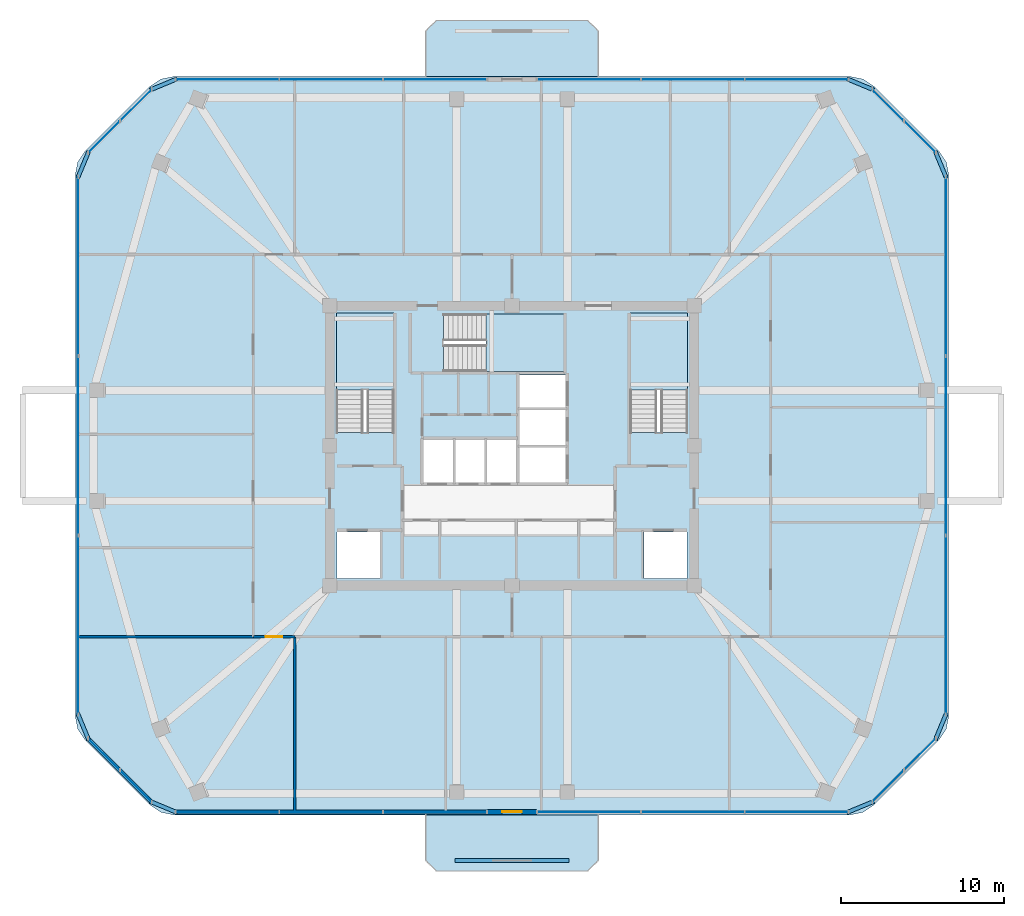
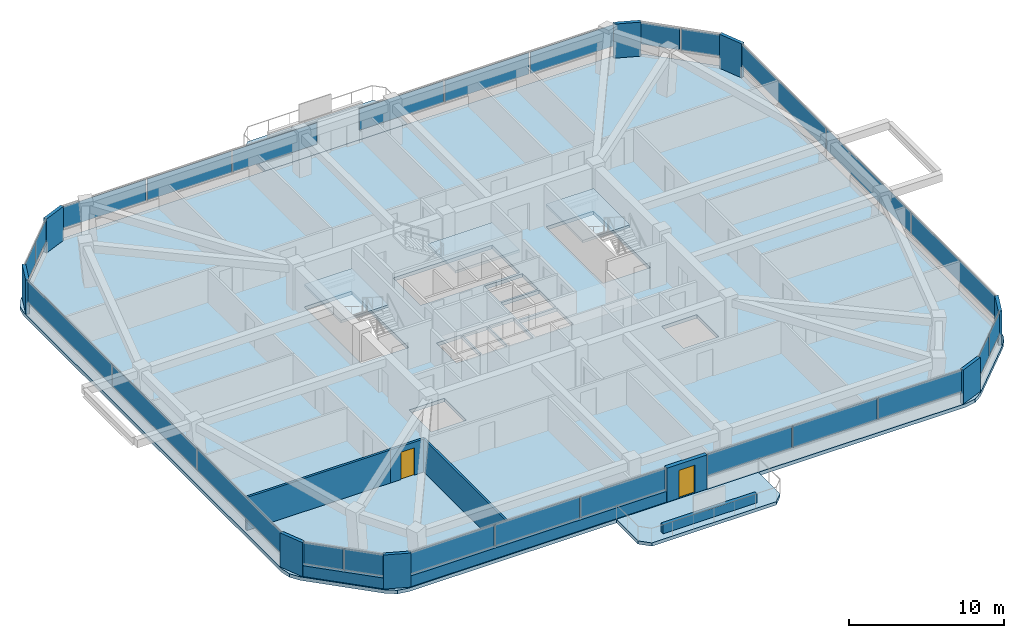
# One storey, part 7 of 13: 34 plates, 7 walls, 6 slabs, 2 doors, 2 openings, 13 elements without a shape of their own.
"""IFC4 building model written with IfcOpenShell, lengths in metres."""

from ifc_helpers import new_model, si_unit, derived_unit, direction, frame, frame_2d, origin, origin_2d, place, context, subcontext, project, spatial, polyline, rectangle, outline, extrude, material, layer, layer_set, type_object, element, fill, aggregate, save


model = new_model("IFC4")

# Units and contexts
model_context = context("Model", 3, precision=1e-05, world=origin(), true_north=direction((0.0, 1.0)))
body_context = subcontext(model_context, "Body", "Model", "MODEL_VIEW")
ifc_project = project(units=[si_unit("LENGTHUNIT", "METRE"), si_unit("AREAUNIT", "SQUARE_METRE"), si_unit("VOLUMEUNIT", "CUBIC_METRE"), si_unit("PLANEANGLEUNIT", "RADIAN"), si_unit("MASSUNIT", "GRAM", prefix="KILO"), derived_unit("THERMALTRANSMITTANCEUNIT", [(si_unit("POWERUNIT", "WATT"), 1), (si_unit("LENGTHUNIT", "METRE"), -2), (si_unit("THERMODYNAMICTEMPERATUREUNIT", "KELVIN"), -1)])], contexts=[model_context])

# Site, building, storey
site_placement = place(None, origin())
site = spatial("IfcSite", under=ifc_project, at=site_placement, CompositionType="ELEMENT")
building_placement = place(site_placement, origin())
building = spatial("IfcBuilding", under=site, at=building_placement, Name="Koralith Skygarden Medical Center", CompositionType="ELEMENT")
storey_placement = place(building_placement, frame((0.0, 0.0, 217.97998046875)))
storey = spatial("IfcBuildingStorey", under=building, at=storey_placement, Name="L56", CompositionType="ELEMENT", Elevation=217.97998046875)

# Curtain wall, plates
ifc_material_1 = material(Name="Clear Laminated Glass", Category="glass")
curtain_wall_type = type_object("IfcCurtainWallType", Name="CW-5 Zone 4 Flare Biophilic Curtain Wall", PredefinedType="NOTDEFINED", material=ifc_material_1)
curtain_wall_1_placement = place(storey_placement, origin())
curtain_wall_1 = element("IfcCurtainWall", 1, at=curtain_wall_1_placement, inside=storey, type_object=curtain_wall_type, Name="Curtain Wall CW-L56-S-L", PredefinedType="NOTDEFINED")
ifc_layer_1 = layer(ifc_material_1, 0.0380859375)
ifc_layer_set_1 = layer_set([ifc_layer_1], Name="Clear Laminated Glass")
plate_type_1 = type_object("IfcPlateType", Name="CW-5 Hurricane Laminated IGU Panel 38", PredefinedType="CURTAIN_PANEL", material=ifc_layer_set_1)
plate_1_placement = place(storey_placement, frame((19.507080078125, 3.39501953125, 0.919921875), z_axis=(0.0, 0.0, 1.0), x_axis=(1.0, 0.0, 0.0)))
plate_1 = element("IfcPlate", 2, at=plate_1_placement, type_object=plate_type_1, Name="CW-L56-S-L Glazed Panel 1", PredefinedType="CURTAIN_PANEL", context=body_context, shape_type="SweptSolid", body=[
    extrude(rectangle(XDim=6.291015625, YDim=0.0380859375, at=origin_2d()), origin(), (0.0, 0.0, 1.0), 1.699951171875),
])
plate_2_placement = place(storey_placement, frame((25.887939453125, 3.39501953125, 0.919921875), z_axis=(0.0, 0.0, 1.0), x_axis=(1.0, 0.0, 0.0)))
plate_2 = element("IfcPlate", 3, at=plate_2_placement, type_object=plate_type_1, Name="CW-L56-S-L Glazed Panel 2", PredefinedType="CURTAIN_PANEL", context=body_context, shape_type="SweptSolid", body=[
    extrude(rectangle(XDim=6.291015625, YDim=0.0380859375, at=origin_2d()), origin(), (0.0, 0.0, 1.0), 1.699951171875),
])
plate_3_placement = place(storey_placement, frame((32.26904296875, 3.39501953125, 0.919921875), z_axis=(0.0, 0.0, 1.0), x_axis=(1.0, 0.0, 0.0)))
plate_3 = element("IfcPlate", 4, at=plate_3_placement, type_object=plate_type_1, Name="CW-L56-S-L Glazed Panel 3", PredefinedType="CURTAIN_PANEL", context=body_context, shape_type="SweptSolid", body=[
    extrude(rectangle(XDim=6.291015625, YDim=0.0380859375, at=origin_2d()), origin(), (0.0, 0.0, 1.0), 1.699951171875),
])
aggregate(curtain_wall_1, [plate_1, plate_2, plate_3])

curtain_wall_2_placement = place(storey_placement, origin())
curtain_wall_2 = element("IfcCurtainWall", 5, at=curtain_wall_2_placement, inside=storey, type_object=curtain_wall_type, Name="Curtain Wall CW-L56-S-R", PredefinedType="NOTDEFINED")
plate_4_placement = place(storey_placement, frame((41.73095703125, 3.39501953125, 0.919921875), z_axis=(0.0, 0.0, 1.0), x_axis=(1.0, 0.0, 0.0)))
plate_4 = element("IfcPlate", 6, at=plate_4_placement, type_object=plate_type_1, Name="CW-L56-S-R Glazed Panel 1", PredefinedType="CURTAIN_PANEL", context=body_context, shape_type="SweptSolid", body=[
    extrude(rectangle(XDim=6.291015625, YDim=0.0380859375, at=origin_2d()), origin(), (0.0, 0.0, 1.0), 1.699951171875),
])
plate_5_placement = place(storey_placement, frame((48.112060546875, 3.39501953125, 0.919921875), z_axis=(0.0, 0.0, 1.0), x_axis=(1.0, 0.0, 0.0)))
plate_5 = element("IfcPlate", 7, at=plate_5_placement, type_object=plate_type_1, Name="CW-L56-S-R Glazed Panel 2", PredefinedType="CURTAIN_PANEL", context=body_context, shape_type="SweptSolid", body=[
    extrude(rectangle(XDim=6.291015625, YDim=0.0380859375, at=origin_2d()), origin(), (0.0, 0.0, 1.0), 1.699951171875),
])
plate_6_placement = place(storey_placement, frame((54.492919921875, 3.39501953125, 0.919921875), z_axis=(0.0, 0.0, 1.0), x_axis=(1.0, 0.0, 0.0)))
plate_6 = element("IfcPlate", 8, at=plate_6_placement, type_object=plate_type_1, Name="CW-L56-S-R Glazed Panel 3", PredefinedType="CURTAIN_PANEL", context=body_context, shape_type="SweptSolid", body=[
    extrude(rectangle(XDim=6.291015625, YDim=0.0380859375, at=origin_2d()), origin(), (0.0, 0.0, 1.0), 1.699951171875),
])
aggregate(curtain_wall_2, [plate_4, plate_5, plate_6])

curtain_wall_3_placement = place(storey_placement, origin())
curtain_wall_3 = element("IfcCurtainWall", 9, at=curtain_wall_3_placement, inside=storey, type_object=curtain_wall_type, Name="Curtain Wall CW-L56-SE", PredefinedType="NOTDEFINED")
plate_7_placement = place(storey_placement, frame((60.115966796875, 4.97802734375, 0.919921875), z_axis=(0.0, 0.0, 1.0), x_axis=(0.707106781187, 0.707106781187, 0.0)))
plate_7 = element("IfcPlate", 10, at=plate_7_placement, type_object=plate_type_1, Name="CW-L56-SE Glazed Panel 1", PredefinedType="CURTAIN_PANEL", context=body_context, shape_type="SweptSolid", body=[
    extrude(rectangle(XDim=2.68408203125, YDim=0.0380859375, at=origin_2d()), origin(), (0.0, 0.0, 1.0), 1.699951171875),
])
plate_8_placement = place(storey_placement, frame((62.076904296875, 6.93896484375, 0.919921875), z_axis=(0.0, 0.0, 1.0), x_axis=(0.707106781187, 0.707106781187, 0.0)))
plate_8 = element("IfcPlate", 11, at=plate_8_placement, type_object=plate_type_1, Name="CW-L56-SE Glazed Panel 2", PredefinedType="CURTAIN_PANEL", context=body_context, shape_type="SweptSolid", body=[
    extrude(rectangle(XDim=2.68408203125, YDim=0.0380859375, at=origin_2d()), origin(), (0.0, 0.0, 1.0), 1.699951171875),
])
aggregate(curtain_wall_3, [plate_7, plate_8])

curtain_wall_4_placement = place(storey_placement, origin())
curtain_wall_4 = element("IfcCurtainWall", 12, at=curtain_wall_4_placement, inside=storey, type_object=curtain_wall_type, Name="Curtain Wall CW-L56-E", PredefinedType="NOTDEFINED")
plate_9_placement = place(storey_placement, frame((63.659912109375, 14.881103515625, 0.919921875), z_axis=(0.0, 0.0, 1.0), x_axis=(0.0, 1.0, 0.0)))
plate_9 = element("IfcPlate", 13, at=plate_9_placement, type_object=plate_type_1, Name="CW-L56-E Glazed Panel 1", PredefinedType="CURTAIN_PANEL", context=body_context, shape_type="SweptSolid", body=[
    extrude(rectangle(XDim=10.928955078125, YDim=0.0380859375, at=origin_2d()), origin(), (0.0, 0.0, 1.0), 1.699951171875),
])
plate_10_placement = place(storey_placement, frame((63.659912109375, 25.89990234375, 0.919921875), z_axis=(0.0, 0.0, 1.0), x_axis=(0.0, 1.0, 0.0)))
plate_10 = element("IfcPlate", 14, at=plate_10_placement, type_object=plate_type_1, Name="CW-L56-E Glazed Panel 2", PredefinedType="CURTAIN_PANEL", context=body_context, shape_type="SweptSolid", body=[
    extrude(rectangle(XDim=10.928955078125, YDim=0.0380859375, at=origin_2d()), origin(), (0.0, 0.0, 1.0), 1.699951171875),
])
plate_11_placement = place(storey_placement, frame((63.659912109375, 36.9189453125, 0.919921875), z_axis=(0.0, 0.0, 1.0), x_axis=(0.0, 1.0, 0.0)))
plate_11 = element("IfcPlate", 15, at=plate_11_placement, type_object=plate_type_1, Name="CW-L56-E Glazed Panel 3", PredefinedType="CURTAIN_PANEL", context=body_context, shape_type="SweptSolid", body=[
    extrude(rectangle(XDim=10.928955078125, YDim=0.0380859375, at=origin_2d()), origin(), (0.0, 0.0, 1.0), 1.699951171875),
])
aggregate(curtain_wall_4, [plate_9, plate_10, plate_11])

curtain_wall_5_placement = place(storey_placement, origin())
curtain_wall_5 = element("IfcCurtainWall", 16, at=curtain_wall_5_placement, inside=storey, type_object=curtain_wall_type, Name="Curtain Wall CW-L56-NE", PredefinedType="NOTDEFINED")
plate_12_placement = place(storey_placement, frame((62.076904296875, 44.861083984375, 0.919921875), z_axis=(0.0, 0.0, 1.0), x_axis=(-0.707106781187, 0.707106781187, 0.0)))
plate_12 = element("IfcPlate", 17, at=plate_12_placement, type_object=plate_type_1, Name="CW-L56-NE Glazed Panel 1", PredefinedType="CURTAIN_PANEL", context=body_context, shape_type="SweptSolid", body=[
    extrude(rectangle(XDim=2.68408203125, YDim=0.0380859375, at=origin_2d()), origin(), (0.0, 0.0, 1.0), 1.699951171875),
])
plate_13_placement = place(storey_placement, frame((60.115966796875, 46.822021484375, 0.919921875), z_axis=(0.0, 0.0, 1.0), x_axis=(-0.707106781187, 0.707106781187, 0.0)))
plate_13 = element("IfcPlate", 18, at=plate_13_placement, type_object=plate_type_1, Name="CW-L56-NE Glazed Panel 2", PredefinedType="CURTAIN_PANEL", context=body_context, shape_type="SweptSolid", body=[
    extrude(rectangle(XDim=2.68408203125, YDim=0.0380859375, at=origin_2d()), origin(), (0.0, 0.0, 1.0), 1.699951171875),
])
aggregate(curtain_wall_5, [plate_12, plate_13])

curtain_wall_6_placement = place(storey_placement, origin())
curtain_wall_6 = element("IfcCurtainWall", 19, at=curtain_wall_6_placement, inside=storey, type_object=curtain_wall_type, Name="Curtain Wall CW-L56-N-L", PredefinedType="NOTDEFINED")
plate_14_placement = place(storey_placement, frame((54.492919921875, 48.404052734375, 0.919921875), z_axis=(0.0, 0.0, 1.0), x_axis=(-1.0, 0.0, 0.0)))
plate_14 = element("IfcPlate", 20, at=plate_14_placement, type_object=plate_type_1, Name="CW-L56-N-L Glazed Panel 1", PredefinedType="CURTAIN_PANEL", context=body_context, shape_type="SweptSolid", body=[
    extrude(rectangle(XDim=6.291015625, YDim=0.0380859375, at=origin_2d()), origin(), (0.0, 0.0, 1.0), 1.699951171875),
])
plate_15_placement = place(storey_placement, frame((48.112060546875, 48.404052734375, 0.919921875), z_axis=(0.0, 0.0, 1.0), x_axis=(-1.0, 0.0, 0.0)))
plate_15 = element("IfcPlate", 21, at=plate_15_placement, type_object=plate_type_1, Name="CW-L56-N-L Glazed Panel 2", PredefinedType="CURTAIN_PANEL", context=body_context, shape_type="SweptSolid", body=[
    extrude(rectangle(XDim=6.291015625, YDim=0.0380859375, at=origin_2d()), origin(), (0.0, 0.0, 1.0), 1.699951171875),
])
plate_16_placement = place(storey_placement, frame((41.73095703125, 48.404052734375, 0.919921875), z_axis=(0.0, 0.0, 1.0), x_axis=(-1.0, 0.0, 0.0)))
plate_16 = element("IfcPlate", 22, at=plate_16_placement, type_object=plate_type_1, Name="CW-L56-N-L Glazed Panel 3", PredefinedType="CURTAIN_PANEL", context=body_context, shape_type="SweptSolid", body=[
    extrude(rectangle(XDim=6.291015625, YDim=0.0380859375, at=origin_2d()), origin(), (0.0, 0.0, 1.0), 1.699951171875),
])
aggregate(curtain_wall_6, [plate_14, plate_15, plate_16])

curtain_wall_7_placement = place(storey_placement, origin())
curtain_wall_7 = element("IfcCurtainWall", 23, at=curtain_wall_7_placement, inside=storey, type_object=curtain_wall_type, Name="Curtain Wall CW-L56-N-R", PredefinedType="NOTDEFINED")
plate_17_placement = place(storey_placement, frame((32.26904296875, 48.404052734375, 0.919921875), z_axis=(0.0, 0.0, 1.0), x_axis=(-1.0, 0.0, 0.0)))
plate_17 = element("IfcPlate", 24, at=plate_17_placement, type_object=plate_type_1, Name="CW-L56-N-R Glazed Panel 1", PredefinedType="CURTAIN_PANEL", context=body_context, shape_type="SweptSolid", body=[
    extrude(rectangle(XDim=6.291015625, YDim=0.0380859375, at=origin_2d()), origin(), (0.0, 0.0, 1.0), 1.699951171875),
])
plate_18_placement = place(storey_placement, frame((25.887939453125, 48.404052734375, 0.919921875), z_axis=(0.0, 0.0, 1.0), x_axis=(-1.0, 0.0, 0.0)))
plate_18 = element("IfcPlate", 25, at=plate_18_placement, type_object=plate_type_1, Name="CW-L56-N-R Glazed Panel 2", PredefinedType="CURTAIN_PANEL", context=body_context, shape_type="SweptSolid", body=[
    extrude(rectangle(XDim=6.291015625, YDim=0.0380859375, at=origin_2d()), origin(), (0.0, 0.0, 1.0), 1.699951171875),
])
plate_19_placement = place(storey_placement, frame((19.507080078125, 48.404052734375, 0.919921875), z_axis=(0.0, 0.0, 1.0), x_axis=(-1.0, 0.0, 0.0)))
plate_19 = element("IfcPlate", 26, at=plate_19_placement, type_object=plate_type_1, Name="CW-L56-N-R Glazed Panel 3", PredefinedType="CURTAIN_PANEL", context=body_context, shape_type="SweptSolid", body=[
    extrude(rectangle(XDim=6.291015625, YDim=0.0380859375, at=origin_2d()), origin(), (0.0, 0.0, 1.0), 1.699951171875),
])
aggregate(curtain_wall_7, [plate_17, plate_18, plate_19])

curtain_wall_8_placement = place(storey_placement, origin())
curtain_wall_8 = element("IfcCurtainWall", 27, at=curtain_wall_8_placement, inside=storey, type_object=curtain_wall_type, Name="Curtain Wall CW-L56-NW", PredefinedType="NOTDEFINED")
plate_20_placement = place(storey_placement, frame((13.884033203125, 46.822021484375, 0.919921875), z_axis=(0.0, 0.0, 1.0), x_axis=(-0.707106781187, -0.707106781187, 0.0)))
plate_20 = element("IfcPlate", 28, at=plate_20_placement, type_object=plate_type_1, Name="CW-L56-NW Glazed Panel 1", PredefinedType="CURTAIN_PANEL", context=body_context, shape_type="SweptSolid", body=[
    extrude(rectangle(XDim=2.68408203125, YDim=0.0380859375, at=origin_2d()), origin(), (0.0, 0.0, 1.0), 1.699951171875),
])
plate_21_placement = place(storey_placement, frame((11.923095703125, 44.861083984375, 0.919921875), z_axis=(0.0, 0.0, 1.0), x_axis=(-0.707106781187, -0.707106781187, 0.0)))
plate_21 = element("IfcPlate", 29, at=plate_21_placement, type_object=plate_type_1, Name="CW-L56-NW Glazed Panel 2", PredefinedType="CURTAIN_PANEL", context=body_context, shape_type="SweptSolid", body=[
    extrude(rectangle(XDim=2.68408203125, YDim=0.0380859375, at=origin_2d()), origin(), (0.0, 0.0, 1.0), 1.699951171875),
])
aggregate(curtain_wall_8, [plate_20, plate_21])

curtain_wall_9_placement = place(storey_placement, origin())
curtain_wall_9 = element("IfcCurtainWall", 30, at=curtain_wall_9_placement, inside=storey, type_object=curtain_wall_type, Name="Curtain Wall CW-L56-W", PredefinedType="NOTDEFINED")
plate_22_placement = place(storey_placement, frame((10.340087890625, 36.9189453125, 0.919921875), z_axis=(0.0, 0.0, 1.0), x_axis=(0.0, -1.0, 0.0)))
plate_22 = element("IfcPlate", 31, at=plate_22_placement, type_object=plate_type_1, Name="CW-L56-W Glazed Panel 1", PredefinedType="CURTAIN_PANEL", context=body_context, shape_type="SweptSolid", body=[
    extrude(rectangle(XDim=10.928955078125, YDim=0.0380859375, at=origin_2d()), origin(), (0.0, 0.0, 1.0), 1.699951171875),
])
plate_23_placement = place(storey_placement, frame((10.340087890625, 25.89990234375, 0.919921875), z_axis=(0.0, 0.0, 1.0), x_axis=(0.0, -1.0, 0.0)))
plate_23 = element("IfcPlate", 32, at=plate_23_placement, type_object=plate_type_1, Name="CW-L56-W Glazed Panel 2", PredefinedType="CURTAIN_PANEL", context=body_context, shape_type="SweptSolid", body=[
    extrude(rectangle(XDim=10.928955078125, YDim=0.0380859375, at=origin_2d()), origin(), (0.0, 0.0, 1.0), 1.699951171875),
])
plate_24_placement = place(storey_placement, frame((10.340087890625, 14.881103515625, 0.919921875), z_axis=(0.0, 0.0, 1.0), x_axis=(0.0, -1.0, 0.0)))
plate_24 = element("IfcPlate", 33, at=plate_24_placement, type_object=plate_type_1, Name="CW-L56-W Glazed Panel 3", PredefinedType="CURTAIN_PANEL", context=body_context, shape_type="SweptSolid", body=[
    extrude(rectangle(XDim=10.928955078125, YDim=0.0380859375, at=origin_2d()), origin(), (0.0, 0.0, 1.0), 1.699951171875),
])
aggregate(curtain_wall_9, [plate_22, plate_23, plate_24])

curtain_wall_10_placement = place(storey_placement, origin())
curtain_wall_10 = element("IfcCurtainWall", 34, at=curtain_wall_10_placement, inside=storey, type_object=curtain_wall_type, Name="Curtain Wall CW-L56-SW", PredefinedType="NOTDEFINED")
plate_25_placement = place(storey_placement, frame((11.923095703125, 6.93896484375, 0.919921875), z_axis=(0.0, 0.0, 1.0), x_axis=(0.707106781187, -0.707106781187, 0.0)))
plate_25 = element("IfcPlate", 35, at=plate_25_placement, type_object=plate_type_1, Name="CW-L56-SW Glazed Panel 1", PredefinedType="CURTAIN_PANEL", context=body_context, shape_type="SweptSolid", body=[
    extrude(rectangle(XDim=2.68408203125, YDim=0.0380859375, at=origin_2d()), origin(), (0.0, 0.0, 1.0), 1.699951171875),
])
plate_26_placement = place(storey_placement, frame((13.884033203125, 4.97802734375, 0.919921875), z_axis=(0.0, 0.0, 1.0), x_axis=(0.707106781187, -0.707106781187, 0.0)))
plate_26 = element("IfcPlate", 36, at=plate_26_placement, type_object=plate_type_1, Name="CW-L56-SW Glazed Panel 2", PredefinedType="CURTAIN_PANEL", context=body_context, shape_type="SweptSolid", body=[
    extrude(rectangle(XDim=2.68408203125, YDim=0.0380859375, at=origin_2d()), origin(), (0.0, 0.0, 1.0), 1.699951171875),
])
aggregate(curtain_wall_10, [plate_25, plate_26])

# Slabs
ifc_material_2 = material(Name="Concrete C45/55", Category="concrete")
ifc_layer_2 = layer(ifc_material_2, 0.260009765625)
ifc_layer_set_2 = layer_set([ifc_layer_2], Name="Concrete C45/55")
slab_type_1 = type_object("IfcSlabType", Name="Cantilevered Planted Balcony Slab 260", PredefinedType="FLOOR", material=ifc_layer_set_2)
slab_1_placement = place(storey_placement, frame((0.0, 0.0, -0.260009765625)))
element("IfcSlab", 37, at=slab_1_placement, inside=storey, type_object=slab_type_1, Name="L56 N Planted Sky-Garden Balcony Slab", PredefinedType="FLOOR", context=body_context, shape_type="SweptSolid", body=[
    extrude(outline(polyline([(31.699951171875, 48.583984375), (42.300048828125, 48.583984375), (42.300048828125, 51.385009765625), (41.64990234375, 52.034912109375), (32.35009765625, 52.034912109375), (31.699951171875, 51.385009765625), (31.699951171875, 48.583984375)])), origin(), (0.0, 0.0, 1.0), 0.260009765625),
])
slab_2_placement = place(storey_placement, frame((0.0, 0.0, -0.260009765625)))
element("IfcSlab", 38, at=slab_2_placement, inside=storey, type_object=slab_type_1, Name="L56 S Planted Sky-Garden Balcony Slab", PredefinedType="FLOOR", context=body_context, shape_type="SweptSolid", body=[
    extrude(outline(polyline([(32.35009765625, -0.235107421875), (41.64990234375, -0.235107421875), (42.300048828125, 0.4150390625), (42.300048828125, 3.215087890625), (31.699951171875, 3.215087890625), (31.699951171875, 0.4150390625), (32.35009765625, -0.235107421875)])), origin(), (0.0, 0.0, 1.0), 0.260009765625),
])

# Stair, slab
stair_type = type_object("IfcStairType", Name="Core Exit Dogleg Concrete Stair", PredefinedType="HALF_TURN_STAIR", material=ifc_material_2)
stair_1_placement = place(storey_placement, origin())
stair_1 = element("IfcStair", 39, at=stair_1_placement, inside=storey, type_object=stair_type, Name="L56 Smokeproof Exit Stair ST1", PredefinedType="HALF_TURN_STAIR")
ifc_layer_3 = layer(ifc_material_2, 0.199951171875)
ifc_layer_set_3 = layer_set([ifc_layer_3], Name="Concrete C45/55")
slab_type_2 = type_object("IfcSlabType", Name="Core Exit Concrete Stair Landing 200", PredefinedType="LANDING", material=ifc_layer_set_3)
slab_3_placement = place(storey_placement, frame((0.0, 0.0, 1.60009765625)))
slab_3 = element("IfcSlab", 40, at=slab_3_placement, type_object=slab_type_2, Name="ST1 landing 1", PredefinedType="LANDING", context=body_context, shape_type="SweptSolid", body=[
    extrude(outline(polyline([(29.75, 29.31005859375), (29.75, 34.050048828125), (26.199951171875, 34.050048828125), (26.199951171875, 29.31005859375), (29.75, 29.31005859375)])), origin(), (0.0, 0.0, 1.0), 0.199951171875),
])
aggregate(stair_1, [slab_3])

stair_2_placement = place(storey_placement, origin())
stair_2 = element("IfcStair", 41, at=stair_2_placement, inside=storey, type_object=stair_type, Name="L56 Smokeproof Exit Stair ST2", PredefinedType="HALF_TURN_STAIR")
slab_4_placement = place(storey_placement, frame((0.0, 0.0, 1.60009765625)))
slab_4 = element("IfcSlab", 42, at=slab_4_placement, type_object=slab_type_2, Name="ST2 landing 1", PredefinedType="LANDING", context=body_context, shape_type="SweptSolid", body=[
    extrude(outline(polyline([(47.800048828125, 29.31005859375), (47.800048828125, 34.050048828125), (44.25, 34.050048828125), (44.25, 29.31005859375), (47.800048828125, 29.31005859375)])), origin(), (0.0, 0.0, 1.0), 0.199951171875),
])
aggregate(stair_2, [slab_4])

stair_3_placement = place(storey_placement, origin())
stair_3 = element("IfcStair", 43, at=stair_3_placement, inside=storey, type_object=stair_type, Name="L56 Smokeproof Exit Stair ST3", PredefinedType="HALF_TURN_STAIR")
slab_5_placement = place(storey_placement, frame((0.0, 0.0, 1.60009765625)))
slab_5 = element("IfcSlab", 44, at=slab_5_placement, type_object=slab_type_2, Name="ST3 landing 1", PredefinedType="LANDING", context=body_context, shape_type="SweptSolid", body=[
    extrude(outline(polyline([(35.409912109375, 30.449951171875), (40.199951171875, 30.449951171875), (40.199951171875, 34.0), (35.409912109375, 34.0), (35.409912109375, 30.449951171875)])), origin(), (0.0, 0.0, 1.0), 0.199951171875),
])
aggregate(stair_3, [slab_5])

# Slab
ifc_layer_4 = layer(ifc_material_2, 0.280029296875)
ifc_layer_set_4 = layer_set([ifc_layer_4], Name="Concrete C45/55")
slab_type_3 = type_object("IfcSlabType", Name="Post-Tensioned Ward Floor Plate 280", PredefinedType="FLOOR", material=ifc_layer_set_4)
slab_6_placement = place(storey_placement, frame((0.0, 0.0, -0.280029296875)))
element("IfcSlab", 45, at=slab_6_placement, inside=storey, type_object=slab_type_3, Name="Level L56 Structural Floor Slab", PredefinedType="FLOOR", context=body_context, shape_type="SweptSolid", body=[
    extrude(outline(polyline([(14.77490234375, 3.801025390625), (15.424072265625, 3.367919921875), (16.18896484375, 3.215087890625), (57.81103515625, 3.215087890625), (58.575927734375, 3.367919921875), (59.22509765625, 3.801025390625), (63.25390625, 7.830078125), (63.68701171875, 8.47900390625), (63.840087890625, 9.243896484375), (63.840087890625, 42.555908203125), (63.68701171875, 43.321044921875), (63.25390625, 43.969970703125), (59.22509765625, 47.9990234375), (58.575927734375, 48.431884765625), (57.81103515625, 48.583984375), (16.18896484375, 48.583984375), (15.424072265625, 48.431884765625), (14.77490234375, 47.9990234375), (10.74609375, 43.969970703125), (10.31298828125, 43.321044921875), (10.159912109375, 42.555908203125), (10.159912109375, 9.243896484375), (10.31298828125, 8.47900390625), (10.74609375, 7.830078125), (14.77490234375, 3.801025390625)]), holes=[polyline([(26.199951171875, 26.705078125), (29.75, 26.705078125), (29.75, 34.050048828125), (26.199951171875, 34.050048828125), (26.199951171875, 26.705078125)]), polyline([(44.25, 26.705078125), (47.800048828125, 26.705078125), (47.800048828125, 34.050048828125), (44.25, 34.050048828125), (44.25, 26.705078125)]), polyline([(32.804931640625, 30.449951171875), (40.199951171875, 30.449951171875), (40.199951171875, 34.0), (32.804931640625, 34.0), (32.804931640625, 30.449951171875)]), polyline([(26.25, 17.75), (28.89990234375, 17.75), (28.89990234375, 20.60009765625), (26.25, 20.60009765625), (26.25, 17.75)]), polyline([(45.10009765625, 17.75), (47.75, 17.75), (47.75, 20.60009765625), (45.10009765625, 20.60009765625), (45.10009765625, 17.75)]), polyline([(31.550048828125, 23.64990234375), (33.39990234375, 23.64990234375), (33.39990234375, 26.25), (31.550048828125, 26.25), (31.550048828125, 23.64990234375)]), polyline([(33.5, 23.64990234375), (35.35009765625, 23.64990234375), (35.35009765625, 26.25), (33.5, 26.25), (33.5, 23.64990234375)]), polyline([(35.449951171875, 23.64990234375), (37.300048828125, 23.64990234375), (37.300048828125, 26.25), (35.449951171875, 26.25), (35.449951171875, 23.64990234375)]), polyline([(37.449951171875, 23.64990234375), (40.300048828125, 23.64990234375), (40.300048828125, 25.800048828125), (37.449951171875, 25.800048828125), (37.449951171875, 23.64990234375)]), polyline([(37.449951171875, 25.949951171875), (40.300048828125, 25.949951171875), (40.300048828125, 28.10009765625), (37.449951171875, 28.10009765625), (37.449951171875, 25.949951171875)]), polyline([(37.449951171875, 28.25), (40.300048828125, 28.25), (40.300048828125, 30.25), (37.449951171875, 30.25), (37.449951171875, 28.25)])]), origin(), (0.0, 0.0, 1.0), 0.280029296875),
])

# Plates
ifc_material_3 = material(Name="Warm Oolitic Limestone Cladding", Category="masonry")
ifc_layer_5 = layer(ifc_material_3, 0.239990234375)
ifc_layer_set_5 = layer_set([ifc_layer_5], Name="Warm Oolitic Limestone Cladding")
plate_type_2 = type_object("IfcPlateType", Name="Rounded-Corner Oolitic Limestone Cladding Panel 240", PredefinedType="USERDEFINED", material=ifc_layer_set_5)
for number, where, z_axis, x_axis, name in (
    (46, (58.408935546875, 3.696044921875, 0.0), (0.0, 0.0, 1.0), (0.923659638286, 0.383213873184, 0.0), "L56 Rounded-Corner Limestone Pier 1"),
    (47, (63.35888671875, 8.64599609375, 0.0), (0.0, 0.0, 1.0), (0.383213873184, 0.923659638286, 0.0), "L56 Rounded-Corner Limestone Pier 2"),
    (48, (63.35888671875, 43.154052734375, 0.0), (0.0, 0.0, 1.0), (-0.383213873184, 0.923659638286, 0.0), "L56 Rounded-Corner Limestone Pier 3"),
    (49, (58.408935546875, 48.10302734375, 0.0), (0.0, 0.0, 1.0), (-0.92388487569, 0.382670532536, 0.0), "L56 Rounded-Corner Limestone Pier 4"),
    (50, (15.590087890625, 48.10302734375, 0.0), (0.0, 0.0, 1.0), (-0.92388487569, -0.382670532536, 0.0), "L56 Rounded-Corner Limestone Pier 5"),
    (51, (10.64111328125, 43.154052734375, 0.0), (0.0, 0.0, 1.0), (-0.383213873184, -0.923659638286, 0.0), "L56 Rounded-Corner Limestone Pier 6"),
    (52, (10.64111328125, 8.64599609375, 0.0), (0.0, 0.0, 1.0), (0.383213873184, -0.923659638286, 0.0), "L56 Rounded-Corner Limestone Pier 7"),
    (53, (15.590087890625, 3.696044921875, 0.0), (0.0, 0.0, 1.0), (0.923659638286, -0.383213873184, 0.0), "L56 Rounded-Corner Limestone Pier 8"),
):
    element("IfcPlate", number, at=place(storey_placement, frame(where, z_axis=z_axis, x_axis=x_axis)), inside=storey, type_object=plate_type_2, Name=name, ObjectType="LIMESTONE CLADDING", PredefinedType="USERDEFINED", context=body_context, shape_type="SweptSolid", body=[
        extrude(rectangle(XDim=1.81103515625, YDim=0.239990234375, at=origin_2d()), origin(), (0.0, 0.0, 1.0), 2.68994140625),
    ])

# Walls
ifc_material_4 = material(Name="Gypsum Board Partition")
ifc_layer_6 = layer(ifc_material_4, 0.14990234375)
ifc_layer_set_6 = layer_set([ifc_layer_6], Name="Gypsum Board Partition")
wall_type_1 = type_object("IfcWallType", Name="Clinical Acoustic Partition 150", PredefinedType="PARTITIONING", material=ifc_layer_set_6)
wall_1_placement = place(storey_placement, frame((23.64990234375, 14.14990234375, 0.0), z_axis=(0.0, 0.0, 1.0), x_axis=(0.0, -1.0, 0.0)))
element("IfcWall", 54, at=wall_1_placement, inside=storey, type_object=wall_type_1, Name="L56 Clinical Acoustic Partition 150 W-PART-L56-S-01", PredefinedType="PARTITIONING", context=body_context, shape_type="SweptSolid", body=[
    extrude(rectangle(XDim=10.73486328125, YDim=0.14990234375, at=frame_2d((5.367431640625, 0.0))), origin(), (0.0, 0.0, 1.0), 2.610107421875),
])
ifc_layer_7 = layer(ifc_material_4, 0.1650390625)
ifc_layer_set_7 = layer_set([ifc_layer_7], Name="Gypsum Board Partition")
wall_type_2 = type_object("IfcWallType", Name="Clinical Corridor Partition 165", PredefinedType="PARTITIONING", material=ifc_layer_set_7)
wall_2_placement = place(storey_placement, frame((10.360107421875, 14.14990234375, 0.0), z_axis=(0.0, 0.0, 1.0), x_axis=(1.0, 0.0, 0.0)))
element("IfcWall", 55, at=wall_2_placement, inside=storey, type_object=wall_type_2, Name="L56 Clinical Corridor Partition 165 W-WB-L56-SW", PredefinedType="PARTITIONING", context=body_context, shape_type="SweptSolid", body=[
    extrude(rectangle(XDim=10.739990234375, YDim=0.1650390625, at=frame_2d((5.3701171875, 0.0))), origin(), (0.0, 0.0, 1.0), 2.610107421875),
])

# Wall, opening, door
wall_3_placement = place(storey_placement, frame((21.10009765625, 14.14990234375, 0.0), z_axis=(0.0, 0.0, 1.0), x_axis=(1.0, 0.0, 0.0)))
wall_3 = element("IfcWall", 56, at=wall_3_placement, inside=storey, type_object=wall_type_2, Name="L56 Clinical Corridor Partition 165 W-CORR-L56-S-01", PredefinedType="PARTITIONING", context=body_context, shape_type="SweptSolid", body=[
    extrude(rectangle(XDim=2.5498046875, YDim=0.1650390625, at=frame_2d((1.27490234375, 0.0))), origin(), (0.0, 0.0, 1.0), 2.610107421875),
])
opening_1_placement = place(wall_3_placement, frame((0.77490234375, 0.0, 0.0)))
opening_1 = element("IfcOpeningElement", 57, at=opening_1_placement, cuts=wall_3, Name="Opening D-SUP", PredefinedType="OPENING", context=body_context, shape_type="SweptSolid", body=[
    extrude(rectangle(XDim=1.0, YDim=2.14990234375, at=frame_2d((0.5, 1.074951171875))), frame((0.0, 0.092529296875, 0.0), z_axis=(0.0, -1.0, 0.0), x_axis=(1.0, 0.0, 0.0)), (0.0, 0.0, 1.0), 0.18505859375),
])
ifc_material_5 = material(Name="Aluminium 6063-T6", Category="aluminium")
door_type_1 = type_object("IfcDoorType", Name="Clinical Support Door D-SUP 1000", OperationType="NOTDEFINED", PredefinedType="DOOR", material=ifc_material_5)
door_1_placement = place(opening_1_placement, frame((1.0, 0.0, 0.0), z_axis=(0.0, 0.0, 1.0), x_axis=(-1.0, 0.0, 0.0)))
door_1 = element("IfcDoor", 58, at=door_1_placement, inside=storey, type_object=door_type_1, Name="L56 Transplant Selection Conference Room 07 Door", OperationType="SINGLE_SWING_RIGHT", OverallHeight=2.14990234375, OverallWidth=1.0, PredefinedType="DOOR", context=body_context, shape_type="SweptSolid", body=[
    extrude(rectangle(XDim=1.0, YDim=2.14990234375, at=frame_2d((0.5, 1.074951171875))), frame((0.0, 0.02490234375, 0.0), z_axis=(0.0, -1.0, 0.0), x_axis=(1.0, 0.0, 0.0)), (0.0, 0.0, 1.0), 0.050048828125),
])
fill(opening_1, door_1)

# Walls
ifc_layer_8 = layer(ifc_material_3, 0.239990234375)
ifc_layer_set_8 = layer_set([ifc_layer_8], Name="Warm Oolitic Limestone Cladding")
wall_type_3 = type_object("IfcWallType", Name="Limestone Spandrel Sill Backup Wall 240", PredefinedType="SOLIDWALL", material=ifc_layer_set_8)
wall_4_placement = place(storey_placement, frame((16.31591796875, 3.39501953125, 0.0), z_axis=(0.0, 0.0, 1.0), x_axis=(1.0, 0.0, 0.0)))
element("IfcWall", 59, at=wall_4_placement, inside=storey, type_object=wall_type_3, Name="L56 Sill Spandrel S-L", PredefinedType="SOLIDWALL", context=body_context, shape_type="SweptSolid", body=[
    extrude(rectangle(XDim=19.14404296875, YDim=0.239990234375, at=frame_2d((9.572021484375, 0.0))), origin(), (0.0, 0.0, 1.0), 0.85009765625),
])
wall_5_placement = place(storey_placement, frame((10.94189453125, 7.919921875, 0.0), z_axis=(0.0, 0.0, 1.0), x_axis=(0.707128783731, -0.707084777957, 0.0)))
element("IfcWall", 60, at=wall_5_placement, inside=storey, type_object=wall_type_3, Name="L56 Sill Spandrel SW", PredefinedType="SOLIDWALL", context=body_context, shape_type="SweptSolid", body=[
    extrude(rectangle(XDim=5.5478515625, YDim=0.239990234375, at=frame_2d((2.77392578125, 0.0))), origin(), (0.0, 0.0, 1.0), 0.85009765625),
])

# Wall, opening, door
ifc_layer_9 = layer(ifc_material_3, 0.300048828125)
ifc_layer_set_9 = layer_set([ifc_layer_9], Name="Warm Oolitic Limestone Cladding")
wall_type_4 = type_object("IfcWallType", Name="Oolitic Limestone Insulated Facade Wall 300", PredefinedType="SOLIDWALL", material=ifc_layer_set_9)
wall_6_placement = place(storey_placement, frame((35.5, 3.39501953125, 0.0), z_axis=(0.0, 0.0, 1.0), x_axis=(1.0, 0.0, 0.0)))
wall_6 = element("IfcWall", 61, at=wall_6_placement, inside=storey, type_object=wall_type_4, Name="L56 Terrace Portal Wall S", PredefinedType="SOLIDWALL", context=body_context, shape_type="SweptSolid", body=[
    extrude(rectangle(XDim=3.0, YDim=0.300048828125, at=frame_2d((1.5, 0.0))), origin(), (0.0, 0.0, 1.0), 2.68994140625),
])
opening_2_placement = place(wall_6_placement, frame((0.89990234375, 0.0, 0.0)))
opening_2 = element("IfcOpeningElement", 62, at=opening_2_placement, cuts=wall_6, Name="Opening D-BAL", PredefinedType="OPENING", context=body_context, shape_type="SweptSolid", body=[
    extrude(rectangle(XDim=1.199951171875, YDim=2.199951171875, at=frame_2d((0.60009765625, 1.10009765625))), frame((0.0, 0.159912109375, 0.0), z_axis=(0.0, -1.0, 0.0), x_axis=(1.0, 0.0, 0.0)), (0.0, 0.0, 1.0), 0.320068359375),
])
door_type_2 = type_object("IfcDoorType", Name="Planted Balcony Glazed Terrace Door D-BAL 1200", OperationType="NOTDEFINED", PredefinedType="DOOR", material=ifc_material_5)
door_2_placement = place(opening_2_placement, origin())
door_2 = element("IfcDoor", 63, at=door_2_placement, inside=storey, type_object=door_type_2, Name="L56 S Outdoor Terrace Access Door", OperationType="SINGLE_SWING_LEFT", OverallHeight=2.199951171875, OverallWidth=1.199951171875, PredefinedType="DOOR", context=body_context, shape_type="SweptSolid", body=[
    extrude(rectangle(XDim=1.199951171875, YDim=2.199951171875, at=frame_2d((0.60009765625, 1.10009765625))), frame((0.0, 0.02490234375, 0.0), z_axis=(0.0, -1.0, 0.0), x_axis=(1.0, 0.0, 0.0)), (0.0, 0.0, 1.0), 0.050048828125),
])
fill(opening_2, door_2)

# Wall
ifc_material_6 = material(Name="Precast concrete C40/50", Category="concrete")
ifc_layer_10 = layer(ifc_material_6, 0.25)
ifc_layer_set_10 = layer_set([ifc_layer_10], Name="Precast concrete C40/50")
wall_type_5 = type_object("IfcWallType", Name="Structural Concrete Balcony Planter Kerb 250", PredefinedType="PARAPET", material=ifc_layer_set_10)
wall_7_placement = place(storey_placement, frame((33.5, 0.4150390625, 0.0), z_axis=(0.0, 0.0, 1.0), x_axis=(1.0, 0.0, 0.0)))
element("IfcWall", 64, at=wall_7_placement, inside=storey, type_object=wall_type_5, Name="L56 S Structural Tree PLANTER Box", PredefinedType="PARAPET", context=body_context, shape_type="SweptSolid", body=[
    extrude(rectangle(XDim=7.0, YDim=0.25, at=frame_2d((3.5, 0.0))), origin(), (0.0, 0.0, 1.0), 0.719970703125),
])

save(model, "model.ifc")
